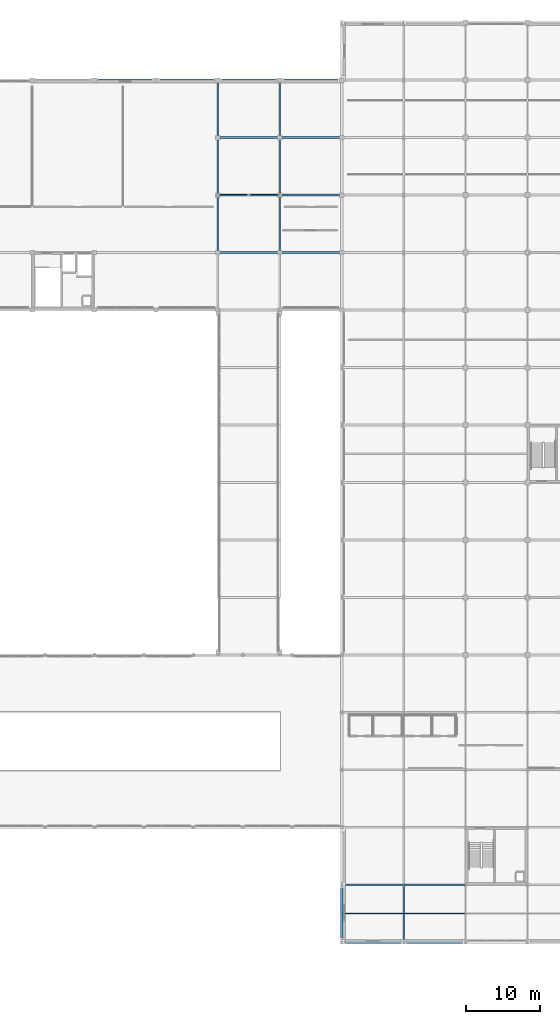
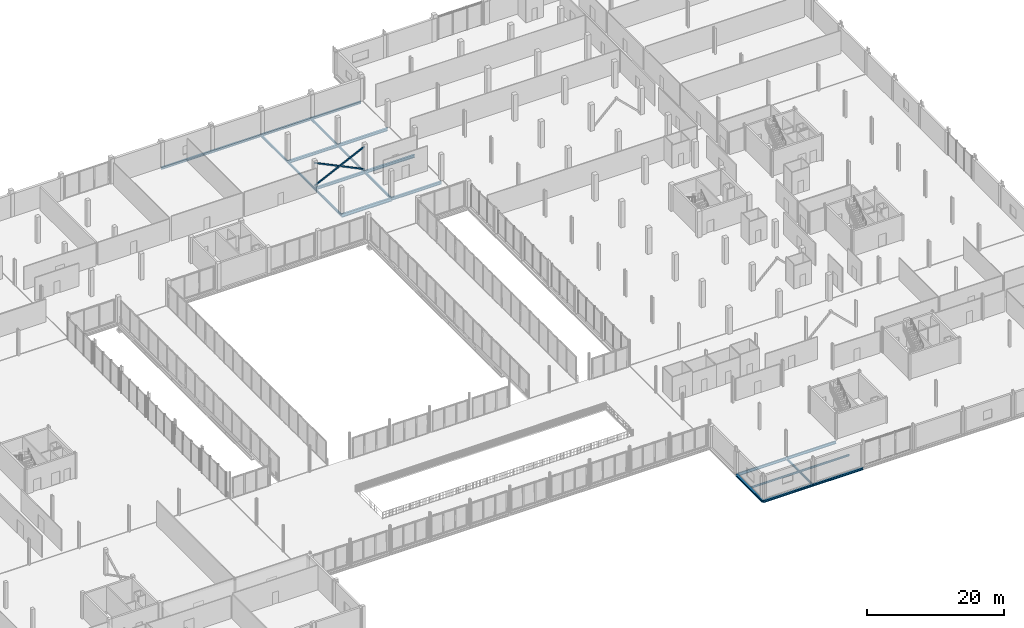
# One storey, part 45 of 98: 24 beams, 3 members.
"""IFC4 building model written with IfcOpenShell, lengths in metres."""

import ifcopenshell
import ifcopenshell.guid

model = None  # the IFC model being written
_history = None  # IfcOwnerHistory: only IFC2X3 demands one
_inside = {}  # id of a spatial element -> (the spatial element, [elements in it])
_under = {}  # id of a project, library or spatial element -> (it, [spatial elements below it])
_declared = {}  # id of a project -> (the project, [libraries it declares])
_typed = {}  # id of a type object -> (the type object, [elements of that type])
_made_of = {}  # id of a material, layer set ... -> (it, [elements and type objects made of it])


def new_model(schema):
    """Start an empty IFC model of exactly this schema.

    Asked for "IFC4X3", IfcOpenShell would pick the latest addendum, in which some entities
    have other attributes; the version numbers below select the first issue.
    IFC2X3 requires an IfcOwnerHistory on every rooted entity: one is made here for all.
    """
    global model, _history
    if schema == "IFC4X3":
        model = ifcopenshell.file(schema_version=(4, 3, 0, 0))
    else:
        model = ifcopenshell.file(schema=schema)
    _inside.clear()
    _under.clear()
    _declared.clear()
    _typed.clear()
    _made_of.clear()
    _history = None
    if model.schema == "IFC2X3":
        org = make("IfcOrganization", Name="unknown")
        user = make(
            "IfcPersonAndOrganization",
            ThePerson=make("IfcPerson", FamilyName="unknown"),
            TheOrganization=org,
        )
        app = make(
            "IfcApplication",
            ApplicationDeveloper=org,
            Version="unknown",
            ApplicationFullName="unknown",
            ApplicationIdentifier="unknown",
        )
        _history = make(
            "IfcOwnerHistory",
            OwningUser=user,
            OwningApplication=app,
            ChangeAction="ADDED",
            CreationDate=0,
        )
    return model


def make(cls, **values):
    """One entity of the class cls with the attributes given. An attribute that is None is left unset."""
    return model.create_entity(
        cls, **{name: value for name, value in values.items() if value is not None}
    )


def rooted(cls, **values):
    """An entity with a GlobalId (a new one), such as an element, a storey or a relation."""
    return make(cls, GlobalId=ifcopenshell.guid.new(), OwnerHistory=_history, **values)


def si_unit(unit_type, name, prefix=None):
    """IfcSIUnit, for example si_unit("LENGTHUNIT", "METRE", prefix="MILLI")."""
    return make("IfcSIUnit", UnitType=unit_type, Prefix=prefix, Name=name)


def assignment(units):
    """IfcUnitAssignment: the units of a project."""
    return None if units is None else make("IfcUnitAssignment", Units=units)


def point(xyz):
    """IfcCartesianPoint."""
    return None if xyz is None else make("IfcCartesianPoint", Coordinates=xyz)


def direction(xyz):
    """IfcDirection."""
    return None if xyz is None else make("IfcDirection", DirectionRatios=xyz)


def frame(location, z_axis=None, x_axis=None):
    """IfcAxis2Placement3D, a coordinate frame: its origin and axes. An axis left out is left unset."""
    return make(
        "IfcAxis2Placement3D",
        Location=point(location),
        Axis=direction(z_axis),
        RefDirection=direction(x_axis),
    )


def frame_2d(location, x_axis=None):
    """IfcAxis2Placement2D, a coordinate frame in the plane: its origin and x axis."""
    return make(
        "IfcAxis2Placement2D", Location=point(location), RefDirection=direction(x_axis)
    )


def origin():
    """The frame at (0, 0, 0) with its axes left unset."""
    return frame((0.0, 0.0, 0.0))


def origin_2d():
    """The frame at (0, 0) in the plane with its x axis left unset."""
    return frame_2d((0.0, 0.0))


def place(relative_to, where):
    """IfcLocalPlacement: puts the frame where relative to a parent placement (None: the world)."""
    return make(
        "IfcLocalPlacement", PlacementRelTo=relative_to, RelativePlacement=where
    )


def context(
    kind, dimensions, precision=None, world=None, true_north=None, identifier=None
):
    """IfcGeometricRepresentationContext, for example the 3D "Model" context."""
    return make(
        "IfcGeometricRepresentationContext",
        ContextIdentifier=identifier,
        ContextType=kind,
        CoordinateSpaceDimension=dimensions,
        Precision=precision,
        WorldCoordinateSystem=world,
        TrueNorth=true_north,
    )


def subcontext(parent, identifier, kind, view, scale=None):
    """IfcGeometricRepresentationSubContext, for example "Body" below "Model"."""
    return make(
        "IfcGeometricRepresentationSubContext",
        ContextIdentifier=identifier,
        ContextType=kind,
        ParentContext=parent,
        TargetScale=scale,
        TargetView=view,
    )


def project(units=None, contexts=None):
    """IfcProject with its units and contexts."""
    return rooted(
        "IfcProject",
        Name="project",
        RepresentationContexts=contexts,
        UnitsInContext=assignment(units),
    )


def spatial(cls, under=None, at=None, **own):
    """A site, building, storey or space (cls), placed at a placement, below another one or the project."""
    s = rooted(cls, ObjectPlacement=at, **own)
    if under is not None:
        _under.setdefault(under.id(), (under, []))[1].append(s)
    return s


def profile(cls, at=None, kind="AREA", **sizes):
    """A parametric profile (cls). Its sizes go by their IFC names, for example OverallWidth=200.0."""
    return make(cls, ProfileType=kind, Position=at, **sizes)


def hollow_rectangle(**sizes):
    """IfcRectangleHollowProfileDef."""
    return profile("IfcRectangleHollowProfileDef", **sizes)


def i_section(**sizes):
    """IfcIShapeProfileDef."""
    return profile("IfcIShapeProfileDef", **sizes)


def extrude(swept, where, along, depth):
    """IfcExtrudedAreaSolid: the profile swept, set in the frame where, extruded along a direction by depth."""
    return make(
        "IfcExtrudedAreaSolid",
        SweptArea=swept,
        Position=where,
        ExtrudedDirection=direction(along),
        Depth=depth,
    )


def shape(context_of_items, identifier, shape_type, items):
    """IfcShapeRepresentation: the items that make up one representation, for example the "Body"."""
    return make(
        "IfcShapeRepresentation",
        ContextOfItems=context_of_items,
        RepresentationIdentifier=identifier,
        RepresentationType=shape_type,
        Items=items,
    )


def material(Name=None, Category=None):
    """IfcMaterial."""
    return make("IfcMaterial", Name=Name, Category=Category)


def material_profile(
    of_material, cross_section, Name=None, Category=None, Priority=None
):
    """IfcMaterialProfile: a cross section and its material."""
    return make(
        "IfcMaterialProfile",
        Name=Name,
        Material=of_material,
        Profile=cross_section,
        Priority=Priority,
        Category=Category,
    )


def profile_set(profiles, Name=None, composite=None):
    """IfcMaterialProfileSet."""
    return make(
        "IfcMaterialProfileSet",
        Name=Name,
        MaterialProfiles=profiles,
        CompositeProfile=composite,
    )


def made_of(thing, what):
    """Note that an element or type object is made of a material, layer set ...; save() writes the relation."""
    if what is not None:
        _made_of.setdefault(what.id(), (what, []))[1].append(thing)
    return thing


def type_object(cls, material=None, **own):
    """A type object (cls), such as IfcWallType, which elements share."""
    return made_of(rooted(cls, **own), material)


def element(
    cls,
    number,
    at=None,
    inside=None,
    cuts=None,
    type_object=None,
    material=None,
    context=None,
    identifier="Body",
    shape_type=None,
    held_by="IfcProductDefinitionShape",
    body=None,
    shapes=None,
    **own,
):
    """One element of the class cls, such as IfcWall. Its Tag is "e" and its number.

    at: its placement. inside: the storey or other place that contains it. cuts: it is an
    opening in that element (IfcRelVoidsElement). A single representation is given by context,
    identifier, shape_type and body (its items); several are given by shapes. held_by: the class
    of the entity that holds the representations. save() writes the other relations.
    """
    e = rooted(cls, Tag="e%d" % number, ObjectPlacement=at, **own)
    if body is not None:
        shapes = [shape(context, identifier, shape_type, body)]
    if shapes is not None:
        e.Representation = make(held_by, Representations=shapes)
    if inside is not None:
        _inside.setdefault(inside.id(), (inside, []))[1].append(e)
    if cuts is not None:
        rooted(
            "IfcRelVoidsElement", RelatingBuildingElement=cuts, RelatedOpeningElement=e
        )
    if type_object is not None:
        _typed.setdefault(type_object.id(), (type_object, []))[1].append(e)
    return made_of(e, material)


def aggregate(whole, parts):
    """IfcRelAggregates: a whole, such as a stair, and the parts it consists of."""
    return rooted("IfcRelAggregates", RelatingObject=whole, RelatedObjects=parts)


def save(model, path):
    """Write the relations noted so far, then the file.

    IfcRelAggregates (storeys below a building ...), IfcRelContainedInSpatialStructure (elements
    in a storey), IfcRelDefinesByType, IfcRelAssociatesMaterial and IfcRelDeclares: one each for
    every whole, place, type object, material and project.
    """
    for whole, parts in _under.values():
        aggregate(whole, parts)
    for where, things in _inside.values():
        rooted(
            "IfcRelContainedInSpatialStructure",
            RelatedElements=things,
            RelatingStructure=where,
        )
    for kind, things in _typed.values():
        rooted("IfcRelDefinesByType", RelatedObjects=things, RelatingType=kind)
    for what, things in _made_of.values():
        rooted("IfcRelAssociatesMaterial", RelatedObjects=things, RelatingMaterial=what)
    for by, libraries in _declared.values():
        rooted("IfcRelDeclares", RelatingContext=by, RelatedDefinitions=libraries)
    model.write(path)


model = new_model("IFC4")

# Units and contexts
model_context = context("Model", 3, precision=1e-05, world=origin(), true_north=direction((0.0, 1.0)))
body_context = subcontext(model_context, "Body", "Model", "MODEL_VIEW")
ifc_project = project(units=[si_unit("LENGTHUNIT", "METRE"), si_unit("AREAUNIT", "SQUARE_METRE"), si_unit("VOLUMEUNIT", "CUBIC_METRE"), si_unit("PLANEANGLEUNIT", "RADIAN"), si_unit("MASSUNIT", "GRAM", prefix="KILO")], contexts=[model_context])

# Site, building, storey
site_placement = place(None, origin())
site = spatial("IfcSite", under=ifc_project, at=site_placement, CompositionType="ELEMENT")
building_placement = place(site_placement, origin())
building = spatial("IfcBuilding", under=site, at=building_placement, Name="Nabrawat Pavilion Hospital", CompositionType="ELEMENT")
storey_placement = place(building_placement, frame((0.0, 0.0, 10.199951171875)))
storey = spatial("IfcBuildingStorey", under=building, at=storey_placement, Name="L02", CompositionType="ELEMENT", Elevation=10.199951171875)

# Beam
ifc_material = material(Name="Steel S355", Category="steel")
ifc_material_profile_1 = material_profile(ifc_material, i_section(OverallWidth=0.300048828125, OverallDepth=0.590087890625, WebThickness=0.012939453125, FlangeThickness=0.02490234375, FilletRadius=0.027099609375, at=origin_2d()), Name="HEA 600")
ifc_profile_set_1 = profile_set([ifc_material_profile_1], Name="Steel S355")
beam_type_1 = type_object("IfcBeamType", Name="Diagnostic Long-Span Girder HEA 600", PredefinedType="USERDEFINED", material=ifc_profile_set_1)
beam_1_placement = place(storey_placement, frame((109.219970703125, 93.60009765625, -0.544921875), z_axis=(1.0, 0.0, 0.0), x_axis=(0.0, 1.0, 0.0)))
element("IfcBeam", 1, at=beam_1_placement, inside=storey, type_object=beam_type_1, Name="L02 Primary X Girder 1108", ObjectType="GIRDER", PredefinedType="USERDEFINED", context=body_context, shape_type="SweptSolid", body=[
    extrude(i_section(OverallWidth=0.300048828125, OverallDepth=0.590087890625, WebThickness=0.012939453125, FlangeThickness=0.02490234375, FilletRadius=0.027099609375, at=origin_2d()), origin(), (0.0, 0.0, 1.0), 8.360107421875),
])

# Members
ifc_material_profile_2 = material_profile(ifc_material, hollow_rectangle(XDim=0.199951171875, YDim=0.199951171875, WallThickness=0.012451171875, at=origin_2d()), Name="SHS 200x200x12.5")
ifc_profile_set_2 = profile_set([ifc_material_profile_2], Name="Steel S355")
member_type = type_object("IfcMemberType", Name="Mid Seismic Chevron Brace SHS 200x200x12.5", PredefinedType="BRACE", material=ifc_profile_set_2)
member_placement = place(storey_placement, frame((109.199951171875, 101.39990234375, 0.050048828125), z_axis=(0.900769595798, 0.0, 0.43429728906), x_axis=(0.0, 1.0, 0.0)))
element("IfcMember", 2, at=member_placement, inside=storey, type_object=member_type, Name="L02 Seismic Continuous X-Brace Diagonal 022", PredefinedType="BRACE", context=body_context, shape_type="SweptSolid", body=[
    extrude(hollow_rectangle(XDim=0.199951171875, YDim=0.199951171875, WallThickness=0.012451171875, at=origin_2d()), origin(), (0.0, 0.0, 1.0), 9.325439453125),
])
for number, where, z_axis, x_axis, name in (
    (3, (109.199951171875, 101.39990234375, 4.10009765625), (0.900758499707, 0.0, -0.434320302549), (0.0, 1.0, 0.0), "L02 Seismic Split X-Brace Upper Segment 023"),
    (4, (113.526123046875, 101.39990234375, 2.01416015625), (0.900779616933, 0.0, -0.434276503759), (0.0, 1.0, 0.0), "L02 Seismic Split X-Brace Lower Segment 024"),
):
    element("IfcMember", number, at=place(storey_placement, frame(where, z_axis=z_axis, x_axis=x_axis)), inside=storey, type_object=member_type, Name=name, PredefinedType="BRACE", context=body_context, shape_type="SweptSolid", body=[
        extrude(hollow_rectangle(XDim=0.199951171875, YDim=0.199951171875, WallThickness=0.012451171875, at=origin_2d()), origin(), (0.0, 0.0, 1.0), 4.522705078125),
    ])

# Beams
ifc_material_profile_3 = material_profile(ifc_material, i_section(OverallWidth=0.300048828125, OverallDepth=0.389892578125, WebThickness=0.010986328125, FlangeThickness=0.01904296875, FilletRadius=0.027099609375, at=origin_2d()), Name="HEA 400")
ifc_profile_set_3 = profile_set([ifc_material_profile_3], Name="Steel S355")
beam_type_2 = type_object("IfcBeamType", Name="Perimeter Moment Spandrel Beam HEA 400", PredefinedType="SPANDREL", material=ifc_profile_set_3)
beam_2_placement = place(storey_placement, frame((126.02001953125, 0.0, -0.425048828125), z_axis=(1.0, 0.0, 0.0), x_axis=(0.0, 1.0, 0.0)))
element("IfcBeam", 5, at=beam_2_placement, inside=storey, type_object=beam_type_2, Name="L02 Primary X Girder 934", PredefinedType="SPANDREL", context=body_context, shape_type="SweptSolid", body=[
    extrude(i_section(OverallWidth=0.300048828125, OverallDepth=0.389892578125, WebThickness=0.010986328125, FlangeThickness=0.01904296875, FilletRadius=0.027099609375, at=origin_2d()), origin(), (0.0, 0.0, 1.0), 8.35986328125),
])
for number, where, z_axis, x_axis, name in (
    (6, (134.419921875, 0.0, -0.425048828125), (1.0, 0.0, 0.0), (0.0, 1.0, 0.0), "L02 Primary X Girder 935"),
    (7, (92.419921875, 117.0, -0.445068359375), (1.0, 0.0, 0.0), (0.0, 1.0, 0.0), "L02 Primary X Girder 1152"),
):
    element("IfcBeam", number, at=place(storey_placement, frame(where, z_axis=z_axis, x_axis=x_axis)), inside=storey, type_object=beam_type_2, Name=name, PredefinedType="SPANDREL", context=body_context, shape_type="SweptSolid", body=[
        extrude(i_section(OverallWidth=0.300048828125, OverallDepth=0.389892578125, WebThickness=0.010986328125, FlangeThickness=0.01904296875, FilletRadius=0.027099609375, at=origin_2d()), origin(), (0.0, 0.0, 1.0), 8.360107421875),
    ])
beam_3_placement = place(storey_placement, frame((100.820068359375, 117.0, -0.445068359375), z_axis=(1.0, 0.0, 0.0), x_axis=(0.0, 1.0, 0.0)))
element("IfcBeam", 8, at=beam_3_placement, inside=storey, type_object=beam_type_2, Name="L02 Primary X Girder 1153", PredefinedType="SPANDREL", context=body_context, shape_type="SweptSolid", body=[
    extrude(i_section(OverallWidth=0.300048828125, OverallDepth=0.389892578125, WebThickness=0.010986328125, FlangeThickness=0.01904296875, FilletRadius=0.027099609375, at=origin_2d()), origin(), (0.0, 0.0, 1.0), 8.35986328125),
])
beam_4_placement = place(storey_placement, frame((109.219970703125, 117.0, -0.445068359375), z_axis=(1.0, 0.0, 0.0), x_axis=(0.0, 1.0, 0.0)))
element("IfcBeam", 9, at=beam_4_placement, inside=storey, type_object=beam_type_2, Name="L02 Primary X Girder 1154", PredefinedType="SPANDREL", context=body_context, shape_type="SweptSolid", body=[
    extrude(i_section(OverallWidth=0.300048828125, OverallDepth=0.389892578125, WebThickness=0.010986328125, FlangeThickness=0.01904296875, FilletRadius=0.027099609375, at=origin_2d()), origin(), (0.0, 0.0, 1.0), 8.360107421875),
])
beam_5_placement = place(storey_placement, frame((117.6201171875, 117.0, -0.445068359375), z_axis=(1.0, 0.0, 0.0), x_axis=(0.0, 1.0, 0.0)))
element("IfcBeam", 10, at=beam_5_placement, inside=storey, type_object=beam_type_2, Name="L02 Primary X Girder 1155", PredefinedType="SPANDREL", context=body_context, shape_type="SweptSolid", body=[
    extrude(i_section(OverallWidth=0.300048828125, OverallDepth=0.389892578125, WebThickness=0.010986328125, FlangeThickness=0.01904296875, FilletRadius=0.027099609375, at=origin_2d()), origin(), (0.0, 0.0, 1.0), 8.35986328125),
])
beam_6_placement = place(storey_placement, frame((126.0, 0.02001953125, -0.425048828125), z_axis=(0.0, 1.0, 0.0), x_axis=(-1.0, 0.0, 0.0)))
element("IfcBeam", 11, at=beam_6_placement, inside=storey, type_object=beam_type_2, Name="L02 Primary Y Beam 1276", PredefinedType="SPANDREL", context=body_context, shape_type="SweptSolid", body=[
    extrude(i_section(OverallWidth=0.300048828125, OverallDepth=0.389892578125, WebThickness=0.010986328125, FlangeThickness=0.01904296875, FilletRadius=0.027099609375, at=origin_2d()), origin(), (0.0, 0.0, 1.0), 7.760009765625),
])
ifc_material_profile_4 = material_profile(ifc_material, i_section(OverallWidth=0.300048828125, OverallDepth=0.489990234375, WebThickness=0.011962890625, FlangeThickness=0.02294921875, FilletRadius=0.027099609375, at=origin_2d()), Name="HEA 500")
ifc_profile_set_4 = profile_set([ifc_material_profile_4], Name="Steel S355")
beam_type_3 = type_object("IfcBeamType", Name="Primary Floor Girder HEA 500", PredefinedType="USERDEFINED", material=ifc_profile_set_4)
beam_7_placement = place(storey_placement, frame((117.6201171875, 93.60009765625, -0.494873046875), z_axis=(1.0, 0.0, 0.0), x_axis=(0.0, 1.0, 0.0)))
element("IfcBeam", 12, at=beam_7_placement, inside=storey, type_object=beam_type_3, Name="L02 Primary X Girder 1109", ObjectType="GIRDER", PredefinedType="USERDEFINED", context=body_context, shape_type="SweptSolid", body=[
    extrude(i_section(OverallWidth=0.300048828125, OverallDepth=0.489990234375, WebThickness=0.011962890625, FlangeThickness=0.02294921875, FilletRadius=0.027099609375, at=origin_2d()), origin(), (0.0, 0.0, 1.0), 8.35986328125),
])
beam_8_placement = place(storey_placement, frame((109.219970703125, 101.39990234375, -0.494873046875), z_axis=(1.0, 0.0, 0.0), x_axis=(0.0, 1.0, 0.0)))
element("IfcBeam", 13, at=beam_8_placement, inside=storey, type_object=beam_type_3, Name="L02 Primary X Girder 1121", ObjectType="GIRDER", PredefinedType="USERDEFINED", context=body_context, shape_type="SweptSolid", body=[
    extrude(i_section(OverallWidth=0.300048828125, OverallDepth=0.489990234375, WebThickness=0.011962890625, FlangeThickness=0.02294921875, FilletRadius=0.027099609375, at=origin_2d()), origin(), (0.0, 0.0, 1.0), 8.360107421875),
])
beam_9_placement = place(storey_placement, frame((117.6201171875, 101.39990234375, -0.494873046875), z_axis=(1.0, 0.0, 0.0), x_axis=(0.0, 1.0, 0.0)))
element("IfcBeam", 14, at=beam_9_placement, inside=storey, type_object=beam_type_3, Name="L02 Primary X Girder 1122", ObjectType="GIRDER", PredefinedType="USERDEFINED", context=body_context, shape_type="SweptSolid", body=[
    extrude(i_section(OverallWidth=0.300048828125, OverallDepth=0.489990234375, WebThickness=0.011962890625, FlangeThickness=0.02294921875, FilletRadius=0.027099609375, at=origin_2d()), origin(), (0.0, 0.0, 1.0), 8.35986328125),
])
beam_10_placement = place(storey_placement, frame((109.219970703125, 109.199951171875, -0.494873046875), z_axis=(1.0, 0.0, 0.0), x_axis=(0.0, 1.0, 0.0)))
element("IfcBeam", 15, at=beam_10_placement, inside=storey, type_object=beam_type_3, Name="L02 Primary X Girder 1133", ObjectType="GIRDER", PredefinedType="USERDEFINED", context=body_context, shape_type="SweptSolid", body=[
    extrude(i_section(OverallWidth=0.300048828125, OverallDepth=0.489990234375, WebThickness=0.011962890625, FlangeThickness=0.02294921875, FilletRadius=0.027099609375, at=origin_2d()), origin(), (0.0, 0.0, 1.0), 8.360107421875),
])
beam_11_placement = place(storey_placement, frame((117.6201171875, 109.199951171875, -0.494873046875), z_axis=(1.0, 0.0, 0.0), x_axis=(0.0, 1.0, 0.0)))
element("IfcBeam", 16, at=beam_11_placement, inside=storey, type_object=beam_type_3, Name="L02 Primary X Girder 1134", ObjectType="GIRDER", PredefinedType="USERDEFINED", context=body_context, shape_type="SweptSolid", body=[
    extrude(i_section(OverallWidth=0.300048828125, OverallDepth=0.489990234375, WebThickness=0.011962890625, FlangeThickness=0.02294921875, FilletRadius=0.027099609375, at=origin_2d()), origin(), (0.0, 0.0, 1.0), 8.35986328125),
])
ifc_material_profile_5 = material_profile(ifc_material, i_section(OverallWidth=0.159912109375, OverallDepth=0.330078125, WebThickness=0.007568359375, FlangeThickness=0.011474609375, FilletRadius=0.01806640625, at=origin_2d()), Name="IPE 330")
ifc_profile_set_5 = profile_set([ifc_material_profile_5], Name="Steel S355")
beam_type_4 = type_object("IfcBeamType", Name="Standard Clinical Secondary Joist IPE 330", PredefinedType="JOIST", material=ifc_profile_set_5)
beam_12_placement = place(storey_placement, frame((126.125, 3.89990234375, -0.39501953125), z_axis=(1.0, 0.0, 0.0), x_axis=(0.0, 1.0, 0.0)))
element("IfcBeam", 17, at=beam_12_placement, inside=storey, type_object=beam_type_4, Name="L02 Secondary Composite Floor Joist 1405", PredefinedType="JOIST", context=body_context, shape_type="SweptSolid", body=[
    extrude(i_section(OverallWidth=0.159912109375, OverallDepth=0.330078125, WebThickness=0.007568359375, FlangeThickness=0.011474609375, FilletRadius=0.01806640625, at=origin_2d()), origin(), (0.0, 0.0, 1.0), 8.2099609375),
])
beam_13_placement = place(storey_placement, frame((134.465087890625, 3.89990234375, -0.39501953125), z_axis=(1.0, 0.0, 0.0), x_axis=(0.0, 1.0, 0.0)))
element("IfcBeam", 18, at=beam_13_placement, inside=storey, type_object=beam_type_4, Name="L02 Secondary Composite Floor Joist 1407", PredefinedType="JOIST", context=body_context, shape_type="SweptSolid", body=[
    extrude(i_section(OverallWidth=0.159912109375, OverallDepth=0.330078125, WebThickness=0.007568359375, FlangeThickness=0.011474609375, FilletRadius=0.01806640625, at=origin_2d()), origin(), (0.0, 0.0, 1.0), 8.27001953125),
])
ifc_material_profile_6 = material_profile(ifc_material, i_section(OverallWidth=0.199951171875, OverallDepth=0.5, WebThickness=0.01025390625, FlangeThickness=0.01611328125, FilletRadius=0.02099609375, at=origin_2d()), Name="IPE 500")
ifc_profile_set_6 = profile_set([ifc_material_profile_6], Name="Steel S355")
beam_type_5 = type_object("IfcBeamType", Name="Standard X Floor Girder IPE 500", PredefinedType="USERDEFINED", material=ifc_profile_set_6)
beam_14_placement = place(storey_placement, frame((126.02001953125, 7.800048828125, -0.47998046875), z_axis=(1.0, 0.0, 0.0), x_axis=(0.0, 1.0, 0.0)))
element("IfcBeam", 19, at=beam_14_placement, inside=storey, type_object=beam_type_5, Name="L02 Primary X Girder 944", ObjectType="GIRDER", PredefinedType="USERDEFINED", context=body_context, shape_type="SweptSolid", body=[
    extrude(i_section(OverallWidth=0.199951171875, OverallDepth=0.5, WebThickness=0.01025390625, FlangeThickness=0.01611328125, FilletRadius=0.02099609375, at=origin_2d()), origin(), (0.0, 0.0, 1.0), 8.35986328125),
])
beam_15_placement = place(storey_placement, frame((134.419921875, 7.800048828125, -0.47998046875), z_axis=(1.0, 0.0, 0.0), x_axis=(0.0, 1.0, 0.0)))
element("IfcBeam", 20, at=beam_15_placement, inside=storey, type_object=beam_type_5, Name="L02 Primary X Girder 945", ObjectType="GIRDER", PredefinedType="USERDEFINED", context=body_context, shape_type="SweptSolid", body=[
    extrude(i_section(OverallWidth=0.199951171875, OverallDepth=0.5, WebThickness=0.01025390625, FlangeThickness=0.01611328125, FilletRadius=0.02099609375, at=origin_2d()), origin(), (0.0, 0.0, 1.0), 8.360107421875),
])
ifc_material_profile_7 = material_profile(ifc_material, i_section(OverallWidth=0.179931640625, OverallDepth=0.39990234375, WebThickness=0.008544921875, FlangeThickness=0.013427734375, FilletRadius=0.02099609375, at=origin_2d()), Name="IPE 400")
ifc_profile_set_7 = profile_set([ifc_material_profile_7], Name="Steel S355")
beam_type_6 = type_object("IfcBeamType", Name="Standard Y Floor Beam IPE 400", PredefinedType="BEAM", material=ifc_profile_set_7)
beam_16_placement = place(storey_placement, frame((109.199951171875, 93.6201171875, -0.449951171875), z_axis=(0.0, 1.0, 0.0), x_axis=(-1.0, 0.0, 0.0)))
element("IfcBeam", 21, at=beam_16_placement, inside=storey, type_object=beam_type_6, Name="L02 Primary Y Beam 1264", PredefinedType="BEAM", context=body_context, shape_type="SweptSolid", body=[
    extrude(i_section(OverallWidth=0.179931640625, OverallDepth=0.39990234375, WebThickness=0.008544921875, FlangeThickness=0.013427734375, FilletRadius=0.02099609375, at=origin_2d()), origin(), (0.0, 0.0, 1.0), 7.759765625),
])
for number, where, z_axis, x_axis, name in (
    (22, (109.199951171875, 101.419921875, -0.449951171875), (0.0, 1.0, 0.0), (-1.0, 0.0, 0.0), "L02 Primary Y Beam 1265"),
    (23, (109.199951171875, 109.219970703125, -0.449951171875), (0.0, 1.0, 0.0), (-1.0, 0.0, 0.0), "L02 Primary Y Beam 1266"),
):
    element("IfcBeam", number, at=place(storey_placement, frame(where, z_axis=z_axis, x_axis=x_axis)), inside=storey, type_object=beam_type_6, Name=name, PredefinedType="BEAM", context=body_context, shape_type="SweptSolid", body=[
        extrude(i_section(OverallWidth=0.179931640625, OverallDepth=0.39990234375, WebThickness=0.008544921875, FlangeThickness=0.013427734375, FilletRadius=0.02099609375, at=origin_2d()), origin(), (0.0, 0.0, 1.0), 7.760009765625),
    ])
beam_17_placement = place(storey_placement, frame((117.60009765625, 93.6201171875, -0.449951171875), z_axis=(0.0, 1.0, 0.0), x_axis=(-1.0, 0.0, 0.0)))
element("IfcBeam", 24, at=beam_17_placement, inside=storey, type_object=beam_type_6, Name="L02 Primary Y Beam 1273", PredefinedType="BEAM", context=body_context, shape_type="SweptSolid", body=[
    extrude(i_section(OverallWidth=0.179931640625, OverallDepth=0.39990234375, WebThickness=0.008544921875, FlangeThickness=0.013427734375, FilletRadius=0.02099609375, at=origin_2d()), origin(), (0.0, 0.0, 1.0), 7.759765625),
])
for number, where, z_axis, x_axis, name in (
    (25, (117.60009765625, 101.419921875, -0.449951171875), (0.0, 1.0, 0.0), (-1.0, 0.0, 0.0), "L02 Primary Y Beam 1274"),
    (26, (117.60009765625, 109.219970703125, -0.449951171875), (0.0, 1.0, 0.0), (-1.0, 0.0, 0.0), "L02 Primary Y Beam 1275"),
    (27, (134.39990234375, 0.02001953125, -0.429931640625), (0.0, 1.0, 0.0), (-1.0, 0.0, 0.0), "L02 Primary Y Beam 1292"),
):
    element("IfcBeam", number, at=place(storey_placement, frame(where, z_axis=z_axis, x_axis=x_axis)), inside=storey, type_object=beam_type_6, Name=name, PredefinedType="BEAM", context=body_context, shape_type="SweptSolid", body=[
        extrude(i_section(OverallWidth=0.179931640625, OverallDepth=0.39990234375, WebThickness=0.008544921875, FlangeThickness=0.013427734375, FilletRadius=0.02099609375, at=origin_2d()), origin(), (0.0, 0.0, 1.0), 7.760009765625),
    ])

save(model, "model.ifc")
